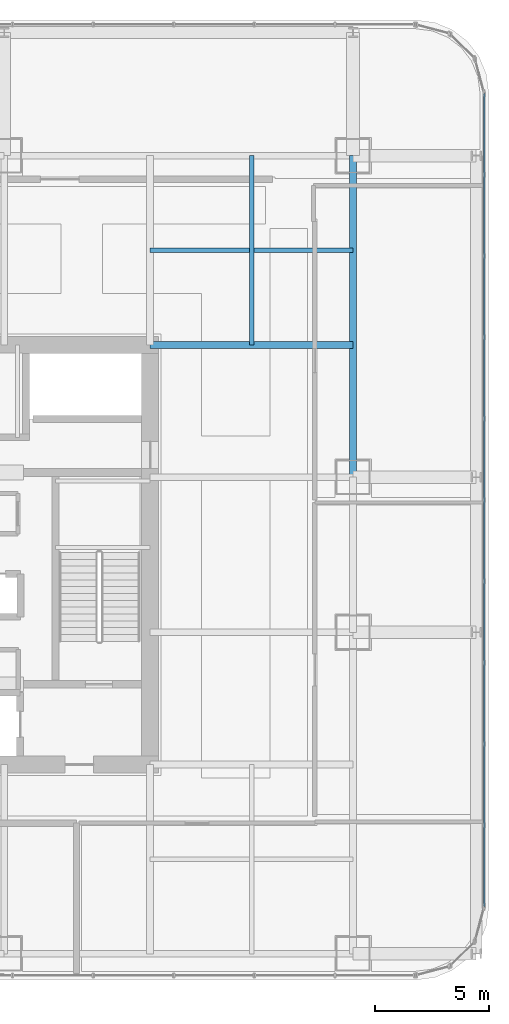
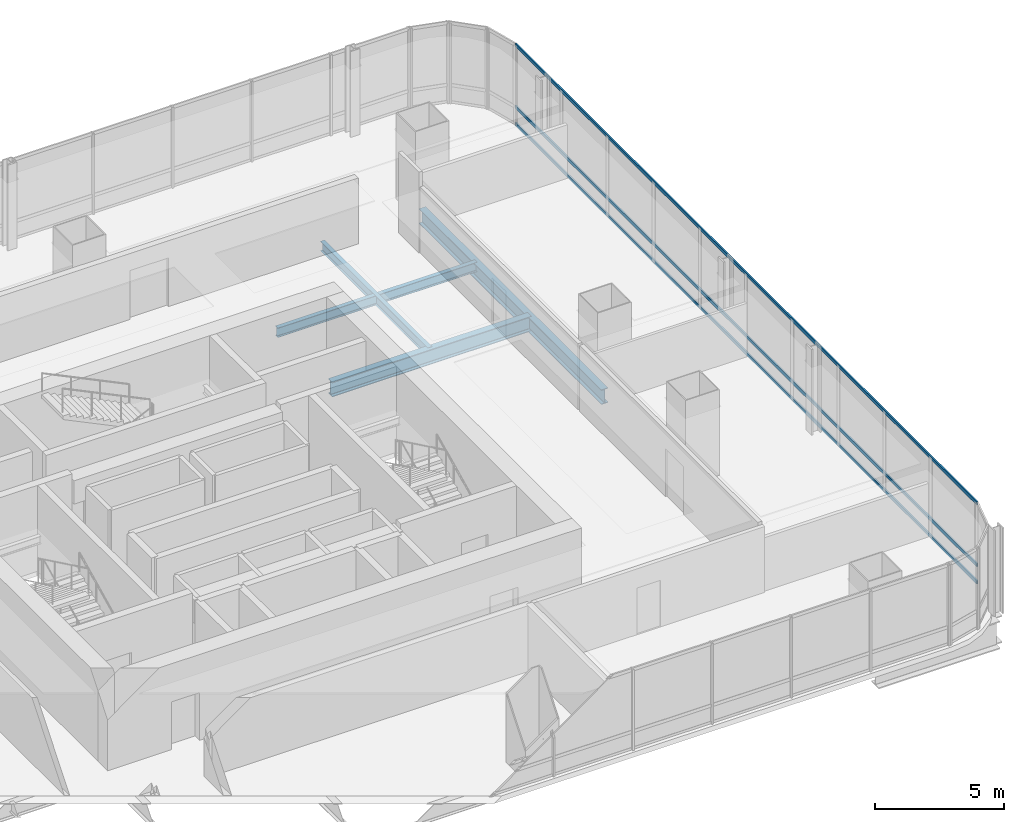
# One storey, part 17 of 34: 4 beams, 3 members, 1 element without a shape of its own.
"""IFC4 building model written with IfcOpenShell, lengths in metres."""

from ifc_helpers import new_model, si_unit, direction, frame, origin, origin_2d, place, context, subcontext, project, spatial, hollow_rectangle, i_section, extrude, material, material_profile, profile_set, type_object, element, aggregate, save


model = new_model("IFC4")

# Units and contexts
model_context = context("Model", 3, precision=1e-05, world=origin(), true_north=direction((0.0, 1.0)))
body_context = subcontext(model_context, "Body", "Model", "MODEL_VIEW")
ifc_project = project(units=[si_unit("LENGTHUNIT", "METRE"), si_unit("AREAUNIT", "SQUARE_METRE"), si_unit("VOLUMEUNIT", "CUBIC_METRE"), si_unit("PLANEANGLEUNIT", "RADIAN"), si_unit("MASSUNIT", "GRAM", prefix="KILO")], contexts=[model_context])

# Site, building, storey
site_placement = place(None, origin())
site = spatial("IfcSite", under=ifc_project, at=site_placement, CompositionType="ELEMENT")
building_placement = place(site_placement, origin())
building = spatial("IfcBuilding", under=site, at=building_placement, Name="Punatoya Terracotta Tower", CompositionType="ELEMENT")
storey_placement = place(building_placement, frame((0.0, 0.0, 97.050048828125)))
storey = spatial("IfcBuildingStorey", under=building, at=storey_placement, Name="L22", CompositionType="ELEMENT", Elevation=97.050048828125)

# Beams
ifc_material_1 = material(Name="Steel S355", Category="steel")
ifc_material_profile_1 = material_profile(ifc_material_1, i_section(OverallWidth=0.300048828125, OverallDepth=0.699951171875, WebThickness=0.01708984375, FlangeThickness=0.031982421875, FilletRadius=0.01806640625, at=origin_2d()))
ifc_profile_set_1 = profile_set([ifc_material_profile_1], Name="Steel S355")
beam_type_1 = type_object("IfcBeamType", Name="BM-PRI-700", PredefinedType="BEAM", material=ifc_profile_set_1)
beam_1_placement = place(storey_placement, frame((19.10009765625, 3.39990234375, -0.590087890625), z_axis=(0.0, 1.0, 0.0), x_axis=(-1.0, 0.0, 0.0)))
element("IfcBeam", 1, at=beam_1_placement, inside=storey, type_object=beam_type_1, Name="BM-L22-RG-E3", PredefinedType="BEAM", context=body_context, shape_type="SweptSolid", body=[
    extrude(i_section(OverallWidth=0.300048828125, OverallDepth=0.699951171875, WebThickness=0.01708984375, FlangeThickness=0.031982421875, FilletRadius=0.01806640625, at=origin_2d()), origin(), (0.0, 0.0, 1.0), 14.10009765625),
])
beam_2_placement = place(storey_placement, frame((10.199951171875, 9.199951171875, -0.590087890625), z_axis=(1.0, 0.0, 0.0), x_axis=(0.0, 1.0, 0.0)))
element("IfcBeam", 2, at=beam_2_placement, inside=storey, type_object=beam_type_1, Name="BM-L22-PR-EN", PredefinedType="BEAM", context=body_context, shape_type="SweptSolid", body=[
    extrude(i_section(OverallWidth=0.300048828125, OverallDepth=0.699951171875, WebThickness=0.01708984375, FlangeThickness=0.031982421875, FilletRadius=0.01806640625, at=origin_2d()), origin(), (0.0, 0.0, 1.0), 8.900146484375),
])
ifc_material_profile_2 = material_profile(ifc_material_1, i_section(OverallWidth=0.18994140625, OverallDepth=0.449951171875, WebThickness=0.009521484375, FlangeThickness=0.0146484375, FilletRadius=0.01806640625, at=origin_2d()))
ifc_profile_set_2 = profile_set([ifc_material_profile_2], Name="Steel S355")
beam_type_2 = type_object("IfcBeamType", Name="BM-SEC-450", PredefinedType="JOIST", material=ifc_profile_set_2)
beam_3_placement = place(storey_placement, frame((10.199951171875, 13.35009765625, -0.465087890625), z_axis=(1.0, 0.0, 0.0), x_axis=(0.0, 1.0, 0.0)))
element("IfcBeam", 3, at=beam_3_placement, inside=storey, type_object=beam_type_2, Name="BM-L22-SJN-2", PredefinedType="JOIST", context=body_context, shape_type="SweptSolid", body=[
    extrude(i_section(OverallWidth=0.18994140625, OverallDepth=0.449951171875, WebThickness=0.009521484375, FlangeThickness=0.0146484375, FilletRadius=0.01806640625, at=origin_2d()), origin(), (0.0, 0.0, 1.0), 8.900146484375),
])
beam_4_placement = place(storey_placement, frame((14.64990234375, 9.199951171875, -0.465087890625), z_axis=(0.0, 1.0, 0.0), x_axis=(-1.0, 0.0, 0.0)))
element("IfcBeam", 4, at=beam_4_placement, inside=storey, type_object=beam_type_2, Name="BM-L22-SJE-2", PredefinedType="JOIST", context=body_context, shape_type="SweptSolid", body=[
    extrude(i_section(OverallWidth=0.18994140625, OverallDepth=0.449951171875, WebThickness=0.009521484375, FlangeThickness=0.0146484375, FilletRadius=0.01806640625, at=origin_2d()), origin(), (0.0, 0.0, 1.0), 8.300048828125),
])

# Curtain wall, members
ifc_material_2 = material(Name="Aluminium 6063-T6 + Double Low-E Glass", Category="aluminium")
curtain_wall_type = type_object("IfcCurtainWallType", Name="CW-M1", PredefinedType="NOTDEFINED", material=ifc_material_2)
curtain_wall_placement = place(storey_placement, origin())
curtain_wall = element("IfcCurtainWall", 5, at=curtain_wall_placement, inside=storey, type_object=curtain_wall_type, Name="L22 Curtain Wall CW-L22-E05-1", PredefinedType="NOTDEFINED")
ifc_material_3 = material(Name="Aluminium 6063-T6", Category="aluminium")
ifc_material_profile_3 = material_profile(ifc_material_3, hollow_rectangle(XDim=0.068115234375, YDim=0.14990234375, WallThickness=0.00390625, at=origin_2d()))
ifc_profile_set_3 = profile_set([ifc_material_profile_3], Name="Aluminium 6063-T6")
member_type = type_object("IfcMemberType", Name="CW-TRN-TYP", PredefinedType="USERDEFINED", material=ifc_profile_set_3)
member_1_placement = place(storey_placement, frame((24.85009765625, -15.43701171875, 0.0400390625), z_axis=(0.0, 1.0, 0.0), x_axis=(-1.0, 0.0, 0.0)))
member_1 = element("IfcMember", 6, at=member_1_placement, type_object=member_type, Name="CW-L22-E05-1 Transom 1", ObjectType="TRANSOM", PredefinedType="USERDEFINED", context=body_context, shape_type="SweptSolid", body=[
    extrude(hollow_rectangle(XDim=0.068115234375, YDim=0.14990234375, WallThickness=0.00390625, at=origin_2d()), origin(), (0.0, 0.0, 1.0), 35.673828125),
])
member_2_placement = place(storey_placement, frame((24.85009765625, -15.43701171875, 0.849853515625), z_axis=(0.0, 1.0, 0.0), x_axis=(-1.0, 0.0, 0.0)))
member_2 = element("IfcMember", 7, at=member_2_placement, type_object=member_type, Name="CW-L22-E05-1 Transom 2", ObjectType="TRANSOM", PredefinedType="USERDEFINED", context=body_context, shape_type="SweptSolid", body=[
    extrude(hollow_rectangle(XDim=0.068115234375, YDim=0.14990234375, WallThickness=0.00390625, at=origin_2d()), origin(), (0.0, 0.0, 1.0), 35.673828125),
])
member_3_placement = place(storey_placement, frame((24.85009765625, -15.43701171875, 3.77001953125), z_axis=(0.0, 1.0, 0.0), x_axis=(-1.0, 0.0, 0.0)))
member_3 = element("IfcMember", 8, at=member_3_placement, type_object=member_type, Name="CW-L22-E05-1 Transom 3", ObjectType="TRANSOM", PredefinedType="USERDEFINED", context=body_context, shape_type="SweptSolid", body=[
    extrude(hollow_rectangle(XDim=0.068115234375, YDim=0.14990234375, WallThickness=0.00390625, at=origin_2d()), origin(), (0.0, 0.0, 1.0), 35.673828125),
])
aggregate(curtain_wall, [member_1, member_2, member_3])

save(model, "model.ifc")
